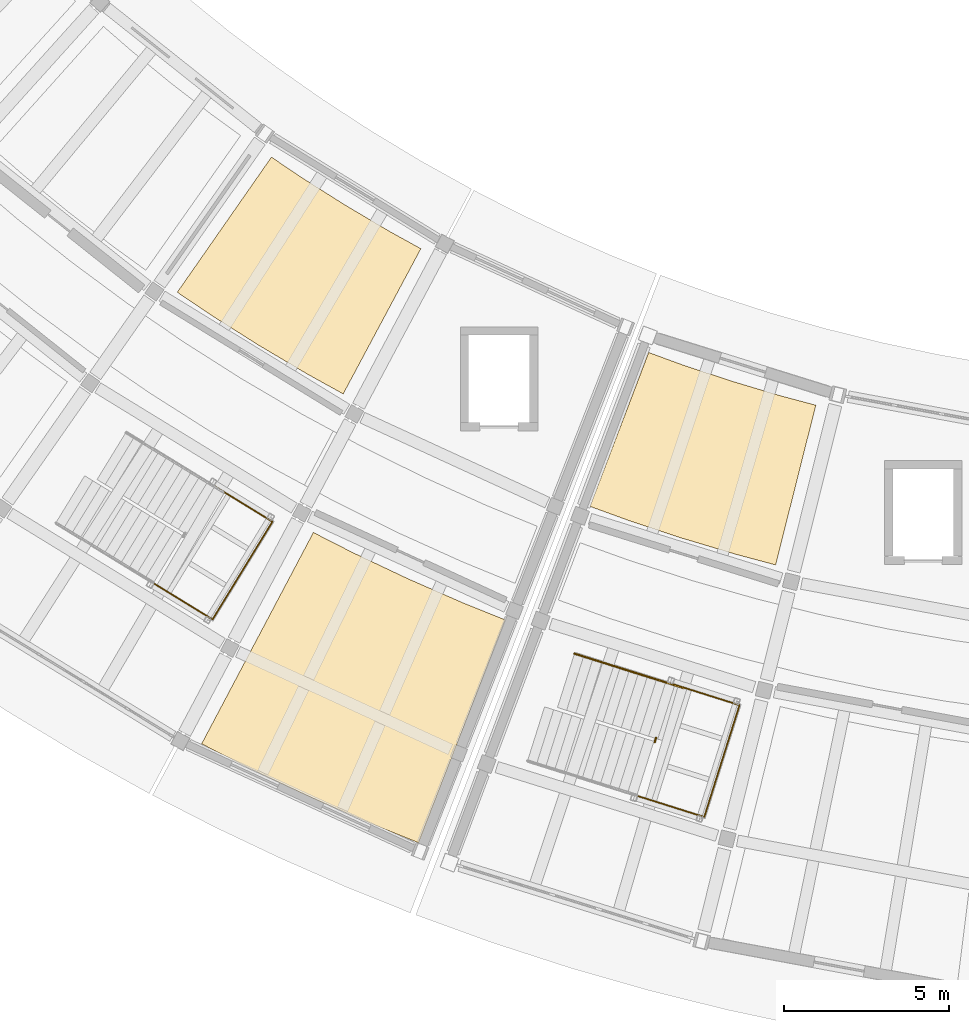
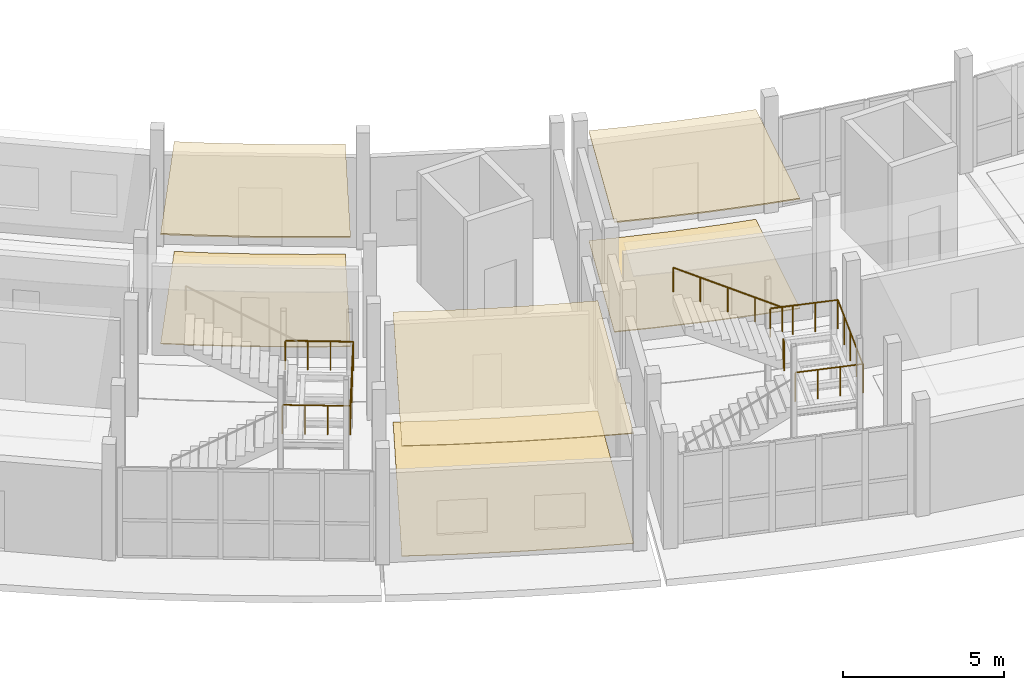
# One storey, part 80 of 92: 6 coverings, 4 railings.
"""IFC4 building model written with IfcOpenShell, lengths in metres."""

import ifcopenshell
import ifcopenshell.guid

model = None  # the IFC model being written
_history = None  # IfcOwnerHistory: only IFC2X3 demands one
_inside = {}  # id of a spatial element -> (the spatial element, [elements in it])
_under = {}  # id of a project, library or spatial element -> (it, [spatial elements below it])
_declared = {}  # id of a project -> (the project, [libraries it declares])
_typed = {}  # id of a type object -> (the type object, [elements of that type])
_made_of = {}  # id of a material, layer set ... -> (it, [elements and type objects made of it])


def new_model(schema):
    """Start an empty IFC model of exactly this schema.

    Asked for "IFC4X3", IfcOpenShell would pick the latest addendum, in which some entities
    have other attributes; the version numbers below select the first issue.
    IFC2X3 requires an IfcOwnerHistory on every rooted entity: one is made here for all.
    """
    global model, _history
    if schema == "IFC4X3":
        model = ifcopenshell.file(schema_version=(4, 3, 0, 0))
    else:
        model = ifcopenshell.file(schema=schema)
    _inside.clear()
    _under.clear()
    _declared.clear()
    _typed.clear()
    _made_of.clear()
    _history = None
    if model.schema == "IFC2X3":
        org = make("IfcOrganization", Name="unknown")
        user = make(
            "IfcPersonAndOrganization",
            ThePerson=make("IfcPerson", FamilyName="unknown"),
            TheOrganization=org,
        )
        app = make(
            "IfcApplication",
            ApplicationDeveloper=org,
            Version="unknown",
            ApplicationFullName="unknown",
            ApplicationIdentifier="unknown",
        )
        _history = make(
            "IfcOwnerHistory",
            OwningUser=user,
            OwningApplication=app,
            ChangeAction="ADDED",
            CreationDate=0,
        )
    return model


def make(cls, **values):
    """One entity of the class cls with the attributes given. An attribute that is None is left unset."""
    return model.create_entity(
        cls, **{name: value for name, value in values.items() if value is not None}
    )


def rooted(cls, **values):
    """An entity with a GlobalId (a new one), such as an element, a storey or a relation."""
    return make(cls, GlobalId=ifcopenshell.guid.new(), OwnerHistory=_history, **values)


def si_unit(unit_type, name, prefix=None):
    """IfcSIUnit, for example si_unit("LENGTHUNIT", "METRE", prefix="MILLI")."""
    return make("IfcSIUnit", UnitType=unit_type, Prefix=prefix, Name=name)


def assignment(units):
    """IfcUnitAssignment: the units of a project."""
    return None if units is None else make("IfcUnitAssignment", Units=units)


def point(xyz):
    """IfcCartesianPoint."""
    return None if xyz is None else make("IfcCartesianPoint", Coordinates=xyz)


def direction(xyz):
    """IfcDirection."""
    return None if xyz is None else make("IfcDirection", DirectionRatios=xyz)


def frame(location, z_axis=None, x_axis=None):
    """IfcAxis2Placement3D, a coordinate frame: its origin and axes. An axis left out is left unset."""
    return make(
        "IfcAxis2Placement3D",
        Location=point(location),
        Axis=direction(z_axis),
        RefDirection=direction(x_axis),
    )


def frame_2d(location, x_axis=None):
    """IfcAxis2Placement2D, a coordinate frame in the plane: its origin and x axis."""
    return make(
        "IfcAxis2Placement2D", Location=point(location), RefDirection=direction(x_axis)
    )


def origin():
    """The frame at (0, 0, 0) with its axes left unset."""
    return frame((0.0, 0.0, 0.0))


def origin_2d():
    """The frame at (0, 0) in the plane with its x axis left unset."""
    return frame_2d((0.0, 0.0))


def place(relative_to, where):
    """IfcLocalPlacement: puts the frame where relative to a parent placement (None: the world)."""
    return make(
        "IfcLocalPlacement", PlacementRelTo=relative_to, RelativePlacement=where
    )


def context(
    kind, dimensions, precision=None, world=None, true_north=None, identifier=None
):
    """IfcGeometricRepresentationContext, for example the 3D "Model" context."""
    return make(
        "IfcGeometricRepresentationContext",
        ContextIdentifier=identifier,
        ContextType=kind,
        CoordinateSpaceDimension=dimensions,
        Precision=precision,
        WorldCoordinateSystem=world,
        TrueNorth=true_north,
    )


def subcontext(parent, identifier, kind, view, scale=None):
    """IfcGeometricRepresentationSubContext, for example "Body" below "Model"."""
    return make(
        "IfcGeometricRepresentationSubContext",
        ContextIdentifier=identifier,
        ContextType=kind,
        ParentContext=parent,
        TargetScale=scale,
        TargetView=view,
    )


def project(units=None, contexts=None):
    """IfcProject with its units and contexts."""
    return rooted(
        "IfcProject",
        Name="project",
        RepresentationContexts=contexts,
        UnitsInContext=assignment(units),
    )


def spatial(cls, under=None, at=None, **own):
    """A site, building, storey or space (cls), placed at a placement, below another one or the project."""
    s = rooted(cls, ObjectPlacement=at, **own)
    if under is not None:
        _under.setdefault(under.id(), (under, []))[1].append(s)
    return s


def polyline(points):
    """IfcPolyline through the points."""
    return make("IfcPolyline", Points=[point(p) for p in points])


def profile(cls, at=None, kind="AREA", **sizes):
    """A parametric profile (cls). Its sizes go by their IFC names, for example OverallWidth=200.0."""
    return make(cls, ProfileType=kind, Position=at, **sizes)


def circle(**sizes):
    """IfcCircleProfileDef."""
    return profile("IfcCircleProfileDef", **sizes)


def outline(outer, holes=None, kind="AREA"):
    """IfcArbitraryClosedProfileDef: a profile drawn as a closed curve; with holes, ...WithVoids."""
    if holes is None:
        return make("IfcArbitraryClosedProfileDef", ProfileType=kind, OuterCurve=outer)
    return make(
        "IfcArbitraryProfileDefWithVoids",
        ProfileType=kind,
        OuterCurve=outer,
        InnerCurves=holes,
    )


def extrude(swept, where, along, depth):
    """IfcExtrudedAreaSolid: the profile swept, set in the frame where, extruded along a direction by depth."""
    return make(
        "IfcExtrudedAreaSolid",
        SweptArea=swept,
        Position=where,
        ExtrudedDirection=direction(along),
        Depth=depth,
    )


def shape(context_of_items, identifier, shape_type, items):
    """IfcShapeRepresentation: the items that make up one representation, for example the "Body"."""
    return make(
        "IfcShapeRepresentation",
        ContextOfItems=context_of_items,
        RepresentationIdentifier=identifier,
        RepresentationType=shape_type,
        Items=items,
    )


def material(Name=None, Category=None):
    """IfcMaterial."""
    return make("IfcMaterial", Name=Name, Category=Category)


def layer(
    of_material, thickness, ventilated=None, Name=None, Category=None, Priority=None
):
    """IfcMaterialLayer: one layer of a wall or slab, of a material (None: an air gap)."""
    return make(
        "IfcMaterialLayer",
        Material=of_material,
        LayerThickness=thickness,
        IsVentilated=ventilated,
        Name=Name,
        Category=Category,
        Priority=Priority,
    )


def layer_set(layers, Name=None):
    """IfcMaterialLayerSet."""
    return make("IfcMaterialLayerSet", MaterialLayers=layers, LayerSetName=Name)


def made_of(thing, what):
    """Note that an element or type object is made of a material, layer set ...; save() writes the relation."""
    if what is not None:
        _made_of.setdefault(what.id(), (what, []))[1].append(thing)
    return thing


def type_object(cls, material=None, **own):
    """A type object (cls), such as IfcWallType, which elements share."""
    return made_of(rooted(cls, **own), material)


def element(
    cls,
    number,
    at=None,
    inside=None,
    cuts=None,
    type_object=None,
    material=None,
    context=None,
    identifier="Body",
    shape_type=None,
    held_by="IfcProductDefinitionShape",
    body=None,
    shapes=None,
    **own,
):
    """One element of the class cls, such as IfcWall. Its Tag is "e" and its number.

    at: its placement. inside: the storey or other place that contains it. cuts: it is an
    opening in that element (IfcRelVoidsElement). A single representation is given by context,
    identifier, shape_type and body (its items); several are given by shapes. held_by: the class
    of the entity that holds the representations. save() writes the other relations.
    """
    e = rooted(cls, Tag="e%d" % number, ObjectPlacement=at, **own)
    if body is not None:
        shapes = [shape(context, identifier, shape_type, body)]
    if shapes is not None:
        e.Representation = make(held_by, Representations=shapes)
    if inside is not None:
        _inside.setdefault(inside.id(), (inside, []))[1].append(e)
    if cuts is not None:
        rooted(
            "IfcRelVoidsElement", RelatingBuildingElement=cuts, RelatedOpeningElement=e
        )
    if type_object is not None:
        _typed.setdefault(type_object.id(), (type_object, []))[1].append(e)
    return made_of(e, material)


def aggregate(whole, parts):
    """IfcRelAggregates: a whole, such as a stair, and the parts it consists of."""
    return rooted("IfcRelAggregates", RelatingObject=whole, RelatedObjects=parts)


def save(model, path):
    """Write the relations noted so far, then the file.

    IfcRelAggregates (storeys below a building ...), IfcRelContainedInSpatialStructure (elements
    in a storey), IfcRelDefinesByType, IfcRelAssociatesMaterial and IfcRelDeclares: one each for
    every whole, place, type object, material and project.
    """
    for whole, parts in _under.values():
        aggregate(whole, parts)
    for where, things in _inside.values():
        rooted(
            "IfcRelContainedInSpatialStructure",
            RelatedElements=things,
            RelatingStructure=where,
        )
    for kind, things in _typed.values():
        rooted("IfcRelDefinesByType", RelatedObjects=things, RelatingType=kind)
    for what, things in _made_of.values():
        rooted("IfcRelAssociatesMaterial", RelatedObjects=things, RelatingMaterial=what)
    for by, libraries in _declared.values():
        rooted("IfcRelDeclares", RelatingContext=by, RelatedDefinitions=libraries)
    model.write(path)


model = new_model("IFC4")

# Units and contexts
model_context = context("Model", 3, precision=1e-05, world=origin(), true_north=direction((0.0, 1.0)))
body_context = subcontext(model_context, "Body", "Model", "MODEL_VIEW")
ifc_project = project(units=[si_unit("LENGTHUNIT", "METRE"), si_unit("AREAUNIT", "SQUARE_METRE"), si_unit("VOLUMEUNIT", "CUBIC_METRE"), si_unit("PLANEANGLEUNIT", "RADIAN"), si_unit("MASSUNIT", "GRAM", prefix="KILO")], contexts=[model_context])

# Site, building, storey
site_placement = place(None, origin())
site = spatial("IfcSite", under=ifc_project, at=site_placement, CompositionType="ELEMENT")
building_placement = place(site_placement, origin())
building = spatial("IfcBuilding", under=site, at=building_placement, Name="Caldaven Crescent School", CompositionType="ELEMENT")
storey_placement = place(building_placement, origin())
storey = spatial("IfcBuildingStorey", under=building, at=storey_placement, Name="L00", CompositionType="ELEMENT", Elevation=0.0)

# Coverings
ifc_material_1 = material(Name="Perforated Pino Radiata acoustic timber baffle ceiling", Category="wood")
ifc_layer_1 = layer(ifc_material_1, 0.030029296875)
ifc_layer_set_1 = layer_set([ifc_layer_1], Name="Perforated Pino Radiata acoustic timber baffle ceiling")
covering_type_1 = type_object("IfcCoveringType", Name="COV-CLG1", PredefinedType="CEILING", material=ifc_layer_set_1)
covering_1_placement = place(storey_placement, frame((0.0, 0.0, 4.169921875)))
element("IfcCovering", 1, at=covering_1_placement, inside=storey, type_object=covering_type_1, Name="CLG-L00-096", PredefinedType="CEILING", context=body_context, shape_type="SweptSolid", body=[
    extrude(outline(polyline([(60.60498046875, 40.302490234375), (60.616943359375, 40.296875), (62.25390625, 39.521484375), (62.26611328125, 39.51611328125), (63.925048828125, 38.789306640625), (63.937255859375, 38.7841796875), (65.205810546875, 38.272216796875), (62.58837890625, 31.50048828125), (61.115966796875, 32.094482421875), (59.249267578125, 32.912353515625), (57.407470703125, 33.78466796875), (55.9931640625, 34.506103515625), (59.38671875, 40.92431640625), (60.60498046875, 40.302490234375)])), origin(), (0.0, 0.0, 1.0), 0.030029296875),
])
ifc_layer_2 = layer(ifc_material_1, 0.0458984375)
ifc_layer_set_2 = layer_set([ifc_layer_2], Name="Perforated Pino Radiata acoustic timber baffle ceiling")
covering_type_2 = type_object("IfcCoveringType", Name="COV-CLG3", PredefinedType="CEILING", material=ifc_layer_set_2)
covering_2_placement = place(storey_placement, frame((0.0, 0.0, 4.154052734375)))
element("IfcCovering", 2, at=covering_2_placement, inside=storey, type_object=covering_type_2, Name="CLG-L00-098", PredefinedType="CEILING", context=body_context, shape_type="SweptSolid", body=[
    extrude(outline(polyline([(70.6005859375, 46.01171875), (70.613037109375, 46.00732421875), (72.077392578125, 45.521728515625), (72.090087890625, 45.517822265625), (73.56787109375, 45.07568359375), (73.58056640625, 45.072021484375), (74.642333984375, 44.7880859375), (73.421630859375, 39.939453125), (72.21142578125, 40.26318359375), (70.580078125, 40.751220703125), (68.9638671875, 41.287109375), (67.78662109375, 41.716064453125), (69.56787109375, 46.38818359375), (70.6005859375, 46.01171875)])), origin(), (0.0, 0.0, 1.0), 0.0458984375),
])
ifc_layer_3 = layer(ifc_material_1, 0.053955078125)
ifc_layer_set_3 = layer_set([ifc_layer_3], Name="Perforated Pino Radiata acoustic timber baffle ceiling")
covering_type_3 = type_object("IfcCoveringType", Name="COV-CLG4", PredefinedType="CEILING", material=ifc_layer_set_3)
covering_3_placement = place(storey_placement, frame((0.0, 0.0, 4.14599609375)))
element("IfcCovering", 3, at=covering_3_placement, inside=storey, type_object=covering_type_3, Name="CLG-L00-095", PredefinedType="CEILING", context=body_context, shape_type="SweptSolid", body=[
    extrude(outline(polyline([(59.024169921875, 51.705810546875), (59.035400390625, 51.698486328125), (60.338623046875, 50.873291015625), (60.349853515625, 50.8662109375), (61.6767578125, 50.07958984375), (61.688232421875, 50.072998046875), (62.64990234375, 49.540771484375), (60.29248046875, 45.131591796875), (59.196533203125, 45.73828125), (57.731689453125, 46.606689453125), (56.29296875, 47.517578125), (55.2548828125, 48.218505859375), (58.11328125, 52.32080078125), (59.024169921875, 51.705810546875)])), origin(), (0.0, 0.0, 1.0), 0.053955078125),
])
ifc_material_2 = material(Name="Polished terrazzo and acoustic linoleum flooring")
ifc_layer_4 = layer(ifc_material_2, 0.02001953125)
ifc_layer_set_4 = layer_set([ifc_layer_4], Name="Polished terrazzo and acoustic linoleum flooring")
covering_type_4 = type_object("IfcCoveringType", Name="COV-FLR1", PredefinedType="FLOORING", material=ifc_layer_set_4)
covering_4_placement = place(storey_placement, origin())
element("IfcCovering", 4, at=covering_4_placement, inside=storey, type_object=covering_type_4, Name="FLR-L00-096", PredefinedType="FLOORING", context=body_context, shape_type="SweptSolid", body=[
    extrude(outline(polyline([(59.38671875, 40.92431640625), (60.60498046875, 40.302490234375), (60.616943359375, 40.296875), (62.25390625, 39.521484375), (62.26611328125, 39.51611328125), (63.925048828125, 38.789306640625), (63.937255859375, 38.7841796875), (65.205810546875, 38.272216796875), (62.58837890625, 31.50048828125), (61.115966796875, 32.094482421875), (59.249267578125, 32.912353515625), (57.407470703125, 33.78466796875), (55.9931640625, 34.506103515625), (59.38671875, 40.92431640625)])), origin(), (0.0, 0.0, 1.0), 0.02001953125),
])
ifc_layer_5 = layer(ifc_material_2, 0.031982421875)
ifc_layer_set_5 = layer_set([ifc_layer_5], Name="Polished terrazzo and acoustic linoleum flooring")
covering_type_5 = type_object("IfcCoveringType", Name="COV-FLR3", PredefinedType="FLOORING", material=ifc_layer_set_5)
covering_5_placement = place(storey_placement, origin())
element("IfcCovering", 5, at=covering_5_placement, inside=storey, type_object=covering_type_5, Name="FLR-L00-095", PredefinedType="FLOORING", context=body_context, shape_type="SweptSolid", body=[
    extrude(outline(polyline([(58.11328125, 52.32080078125), (59.024169921875, 51.705810546875), (59.035400390625, 51.698486328125), (60.338623046875, 50.873291015625), (60.349853515625, 50.8662109375), (61.6767578125, 50.07958984375), (61.688232421875, 50.072998046875), (62.64990234375, 49.540771484375), (60.29248046875, 45.131591796875), (59.196533203125, 45.73828125), (57.731689453125, 46.606689453125), (56.29296875, 47.517578125), (55.2548828125, 48.218505859375), (58.11328125, 52.32080078125)])), origin(), (0.0, 0.0, 1.0), 0.031982421875),
])
covering_6_placement = place(storey_placement, origin())
element("IfcCovering", 6, at=covering_6_placement, inside=storey, type_object=covering_type_5, Name="FLR-L00-098", PredefinedType="FLOORING", context=body_context, shape_type="SweptSolid", body=[
    extrude(outline(polyline([(69.56787109375, 46.38818359375), (70.6005859375, 46.01171875), (70.613037109375, 46.00732421875), (72.077392578125, 45.521728515625), (72.090087890625, 45.517822265625), (73.56787109375, 45.07568359375), (73.58056640625, 45.072021484375), (74.642333984375, 44.7880859375), (73.421630859375, 39.939453125), (72.21142578125, 40.26318359375), (70.580078125, 40.751220703125), (68.9638671875, 41.287109375), (67.78662109375, 41.716064453125), (69.56787109375, 46.38818359375)])), origin(), (0.0, 0.0, 1.0), 0.031982421875),
])

# Railings
ifc_material_3 = material(Name="Brushed stainless-steel continuous tubular handrail", Category="steel")
railing_type_1 = type_object("IfcRailingType", Name="RAL-HR4", PredefinedType="HANDRAIL", material=ifc_material_3)
railing_1_placement = place(storey_placement, frame((70.6337890625, 36.199462890625, 2.383056640625)))
element("IfcRailing", 7, at=railing_1_placement, inside=storey, type_object=railing_type_1, Name="HR-ST2-L00-F2", PredefinedType="HANDRAIL", context=body_context, shape_type="SweptSolid", body=[
    extrude(circle(Radius=0.02392578125, at=origin_2d()), frame((0.0, 0.0, 0.916015625), z_axis=(-0.822762329328, 0.259405571833, 0.505737974391), x_axis=(-0.300694840402, -0.953720406071, 0.0)), (0.0, 0.0, 1.0), 4.03369140625),
    extrude(circle(Radius=0.02099609375, at=origin_2d()), origin(), (0.0, 0.0, 1.0), 0.891845703125),
    extrude(circle(Radius=0.02099609375, at=origin_2d()), frame((-0.82958984375, 0.26171875, 0.510009765625)), (0.0, 0.0, 1.0), 0.891845703125),
    extrude(circle(Radius=0.02099609375, at=origin_2d()), frame((-1.659423828125, 0.523193359375, 1.02001953125)), (0.0, 0.0, 1.0), 0.891845703125),
    extrude(circle(Radius=0.02099609375, at=origin_2d()), frame((-2.4892578125, 0.78466796875, 1.530029296875)), (0.0, 0.0, 1.0), 0.891845703125),
    extrude(circle(Radius=0.02099609375, at=origin_2d()), frame((-3.31884765625, 1.04638671875, 2.0400390625)), (0.0, 0.0, 1.0), 0.891845703125),
])
ifc_material_4 = material(Name="Powder-coated tubular steel balustrade ASTM A572 Grade 50", Category="steel")
railing_type_2 = type_object("IfcRailingType", Name="RAL-INT2", PredefinedType="BALUSTRADE", material=ifc_material_4)
railing_2_placement = place(storey_placement, frame((54.52734375, 39.386962890625, 2.2099609375)))
element("IfcRailing", 8, at=railing_2_placement, inside=storey, type_object=railing_type_2, Name="GD-LND-ST1-L00", PredefinedType="BALUSTRADE", context=body_context, shape_type="SweptSolid", body=[
    extrude(circle(Radius=0.02392578125, at=origin_2d()), frame((0.0, 0.0, 1.09619140625), z_axis=(0.852626195292, -0.52252135947, 0.0), x_axis=(0.52252135947, 0.852626195292, 0.0)), (0.0, 0.0, 1.0), 2.110107421875),
    extrude(circle(Radius=0.02392578125, at=origin_2d()), frame((1.799072265625, -1.1025390625, 1.09619140625), z_axis=(0.522448541371, 0.852670816681, 0.0), x_axis=(-0.852670816681, 0.522448541371, 0.0)), (0.0, 0.0, 1.0), 3.47998046875),
    extrude(circle(Radius=0.02392578125, at=origin_2d()), frame((3.6171875, 1.86474609375, 1.09619140625), z_axis=(-0.852626195292, 0.52252135947, 0.0), x_axis=(-0.52252135947, -0.852626195292, 0.0)), (0.0, 0.0, 1.0), 2.110107421875),
    extrude(circle(Radius=0.02099609375, at=origin_2d()), origin(), (0.0, 0.0, 1.0), 1.072021484375),
    extrude(circle(Radius=0.02099609375, at=origin_2d()), frame((0.599609375, -0.367431640625, 0.0)), (0.0, 0.0, 1.0), 1.072021484375),
    extrude(circle(Radius=0.02099609375, at=origin_2d()), frame((1.199462890625, -0.735107421875, 0.0)), (0.0, 0.0, 1.0), 1.072021484375),
    extrude(circle(Radius=0.02099609375, at=origin_2d()), frame((1.799072265625, -1.1025390625, 0.0)), (0.0, 0.0, 1.0), 1.072021484375),
    extrude(circle(Radius=0.02099609375, at=origin_2d()), frame((2.253662109375, -0.36083984375, 0.0)), (0.0, 0.0, 1.0), 1.072021484375),
    extrude(circle(Radius=0.02099609375, at=origin_2d()), frame((2.7080078125, 0.381103515625, 0.0)), (0.0, 0.0, 1.0), 1.072021484375),
    extrude(circle(Radius=0.02099609375, at=origin_2d()), frame((3.16259765625, 1.123046875, 0.0)), (0.0, 0.0, 1.0), 1.072021484375),
    extrude(circle(Radius=0.02099609375, at=origin_2d()), frame((3.6171875, 1.86474609375, 0.0)), (0.0, 0.0, 1.0), 1.072021484375),
    extrude(circle(Radius=0.02099609375, at=origin_2d()), frame((3.017578125, 2.232177734375, 0.0)), (0.0, 0.0, 1.0), 1.072021484375),
    extrude(circle(Radius=0.02099609375, at=origin_2d()), frame((2.417724609375, 2.599853515625, 0.0)), (0.0, 0.0, 1.0), 1.072021484375),
    extrude(circle(Radius=0.02099609375, at=origin_2d()), frame((1.818115234375, 2.96728515625, 0.0)), (0.0, 0.0, 1.0), 1.072021484375),
])
railing_3_placement = place(storey_placement, frame((69.205322265625, 32.9326171875, 2.2099609375)))
element("IfcRailing", 9, at=railing_3_placement, inside=storey, type_object=railing_type_2, Name="GD-LND-ST2-L00", PredefinedType="BALUSTRADE", context=body_context, shape_type="SweptSolid", body=[
    extrude(circle(Radius=0.02392578125, at=origin_2d()), frame((0.0, 0.0, 1.09619140625), z_axis=(0.953723285408, -0.300685707794, 0.0), x_axis=(0.300685707794, 0.953723285408, 0.0)), (0.0, 0.0, 1.0), 2.150146484375),
    extrude(circle(Radius=0.02392578125, at=origin_2d()), frame((2.050537109375, -0.646484375, 1.09619140625), z_axis=(0.300714516231, 0.953714202331, 0.0), x_axis=(-0.953714202331, 0.300714516231, 0.0)), (0.0, 0.0, 1.0), 3.56005859375),
    extrude(circle(Radius=0.02392578125, at=origin_2d()), frame((3.12109375, 2.748779296875, 1.09619140625), z_axis=(-0.953723285408, 0.300685707794, 0.0), x_axis=(-0.300685707794, -0.953723285408, 0.0)), (0.0, 0.0, 1.0), 2.150146484375),
    extrude(circle(Radius=0.02099609375, at=origin_2d()), origin(), (0.0, 0.0, 1.0), 1.072021484375),
    extrude(circle(Radius=0.02099609375, at=origin_2d()), frame((0.68359375, -0.215576171875, 0.0)), (0.0, 0.0, 1.0), 1.072021484375),
    extrude(circle(Radius=0.02099609375, at=origin_2d()), frame((1.366943359375, -0.430908203125, 0.0)), (0.0, 0.0, 1.0), 1.072021484375),
    extrude(circle(Radius=0.02099609375, at=origin_2d()), frame((2.050537109375, -0.646484375, 0.0)), (0.0, 0.0, 1.0), 1.072021484375),
    extrude(circle(Radius=0.02099609375, at=origin_2d()), frame((2.318115234375, 0.202392578125, 0.0)), (0.0, 0.0, 1.0), 1.072021484375),
    extrude(circle(Radius=0.02099609375, at=origin_2d()), frame((2.5859375, 1.05126953125, 0.0)), (0.0, 0.0, 1.0), 1.072021484375),
    extrude(circle(Radius=0.02099609375, at=origin_2d()), frame((2.853515625, 1.89990234375, 0.0)), (0.0, 0.0, 1.0), 1.072021484375),
    extrude(circle(Radius=0.02099609375, at=origin_2d()), frame((3.12109375, 2.748779296875, 0.0)), (0.0, 0.0, 1.0), 1.072021484375),
    extrude(circle(Radius=0.02099609375, at=origin_2d()), frame((2.4375, 2.96435546875, 0.0)), (0.0, 0.0, 1.0), 1.072021484375),
    extrude(circle(Radius=0.02099609375, at=origin_2d()), frame((1.754150390625, 3.1796875, 0.0)), (0.0, 0.0, 1.0), 1.072021484375),
    extrude(circle(Radius=0.02099609375, at=origin_2d()), frame((1.070556640625, 3.395263671875, 0.0)), (0.0, 0.0, 1.0), 1.072021484375),
])
railing_4_placement = place(storey_placement, frame((69.748291015625, 34.554443359375, 2.2099609375)))
element("IfcRailing", 10, at=railing_4_placement, inside=storey, type_object=railing_type_2, Name="GD-SLT-ST2-L00", PredefinedType="BALUSTRADE", context=body_context, shape_type="SweptSolid", body=[
    extrude(circle(Radius=0.02392578125, at=origin_2d()), frame((0.0, 0.0, 1.09619140625), z_axis=(0.299962638808, 0.953950950164, 0.0), x_axis=(-0.953950950164, 0.299962638808, 0.0)), (0.0, 0.0, 1.0), 0.139892578125),
    extrude(circle(Radius=0.02099609375, at=origin_2d()), origin(), (0.0, 0.0, 1.0), 1.072021484375),
    extrude(circle(Radius=0.02099609375, at=origin_2d()), frame((0.0419921875, 0.133544921875, 0.0)), (0.0, 0.0, 1.0), 1.072021484375),
])

save(model, "model.ifc")
